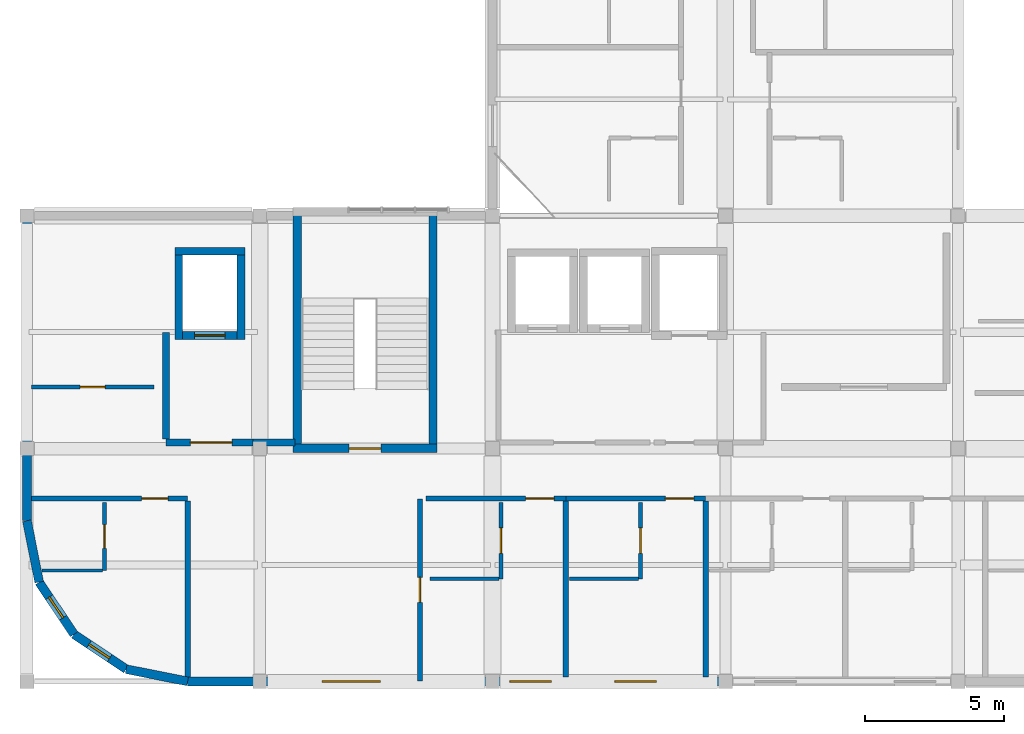
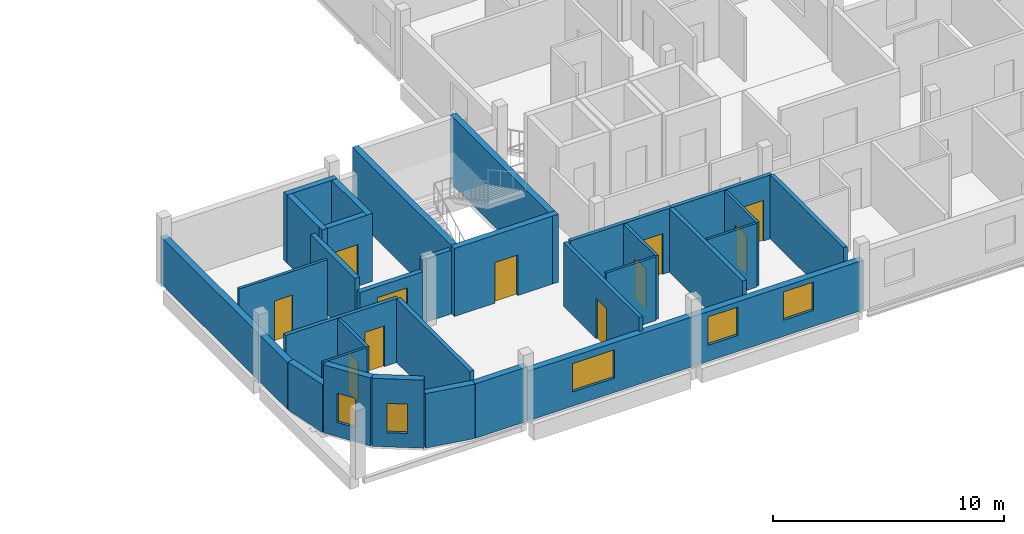
# One storey, part 9 of 20: 31 walls, 11 doors, 5 windows, 16 openings.
"""IFC4 building model written with IfcOpenShell, lengths in metres."""

from ifc_helpers import new_model, si_unit, derived_unit, direction, frame, frame_2d, origin, place, context, subcontext, project, spatial, rectangle, extrude, material, layer, layer_set, type_object, element, fill, save


model = new_model("IFC4")

# Units and contexts
model_context = context("Model", 3, precision=1e-05, world=origin(), true_north=direction((0.0, 1.0)))
body_context = subcontext(model_context, "Body", "Model", "MODEL_VIEW")
ifc_project = project(units=[si_unit("LENGTHUNIT", "METRE"), si_unit("AREAUNIT", "SQUARE_METRE"), si_unit("VOLUMEUNIT", "CUBIC_METRE"), si_unit("PLANEANGLEUNIT", "RADIAN"), si_unit("MASSUNIT", "GRAM", prefix="KILO"), derived_unit("THERMALTRANSMITTANCEUNIT", [(si_unit("POWERUNIT", "WATT"), 1), (si_unit("LENGTHUNIT", "METRE"), -2), (si_unit("THERMODYNAMICTEMPERATUREUNIT", "KELVIN"), -1)])], contexts=[model_context])

# Site, building, storey
site_placement = place(None, origin())
site = spatial("IfcSite", under=ifc_project, at=site_placement, CompositionType="ELEMENT")
building_placement = place(site_placement, origin())
building = spatial("IfcBuilding", under=site, at=building_placement, Name="Barrovel Congress Hotel", CompositionType="ELEMENT")
storey_placement = place(building_placement, frame((0.0, 0.0, 39.89990234375)))
storey = spatial("IfcBuildingStorey", under=building, at=storey_placement, Name="L10", CompositionType="ELEMENT", Elevation=39.89990234375)

# Wall
ifc_material_1 = material(Name="Fired Clay Brick Masonry", Category="masonry")
ifc_layer_1 = layer(ifc_material_1, 0.320068359375)
ifc_layer_set_1 = layer_set([ifc_layer_1], Name="Fired Clay Brick Masonry")
wall_type_1 = type_object("IfcWallType", Name="EW-BRK320", PredefinedType="STANDARD", material=ifc_layer_set_1)
wall_1_placement = place(storey_placement, frame((16.800048828125, 10.0, 0.0), z_axis=(0.0, 0.0, 1.0), x_axis=(0.195057908159, -0.980791727363, 0.0)))
element("IfcWall", 1, at=wall_1_placement, inside=storey, type_object=wall_type_1, Name="EW:L10:PROW-1", PredefinedType="STANDARD", context=body_context, shape_type="SweptSolid", body=[
    extrude(rectangle(XDim=2.262939453125, YDim=0.320068359375, at=frame_2d((1.13134765625, 0.0))), origin(), (0.0, 0.0, 1.0), 2.530029296875),
])

# Wall, opening, window
wall_2_placement = place(storey_placement, frame((17.241455078125, 7.780517578125, 0.0), z_axis=(0.0, 0.0, 1.0), x_axis=(0.555546297918, -0.831485604728, 0.0)))
wall_2 = element("IfcWall", 2, at=wall_2_placement, inside=storey, type_object=wall_type_1, Name="EW:L10:PROW-2", PredefinedType="STANDARD", context=body_context, shape_type="SweptSolid", body=[
    extrude(rectangle(XDim=2.26318359375, YDim=0.320068359375, at=frame_2d((1.131591796875, 0.0))), origin(), (0.0, 0.0, 1.0), 3.60009765625),
])
opening_1_placement = place(wall_2_placement, frame((0.64990234375, 0.0, 0.75)))
opening_1 = element("IfcOpeningElement", 3, at=opening_1_placement, cuts=wall_2, Name="Opening WN-11", PredefinedType="OPENING", context=body_context, shape_type="SweptSolid", body=[
    extrude(rectangle(XDim=0.89990234375, YDim=1.550048828125, at=frame_2d((0.449951171875, 0.77490234375))), frame((0.0, 0.169921875, 0.0), z_axis=(0.0, -1.0, 0.0), x_axis=(1.0, 0.0, 0.0)), (0.0, 0.0, 1.0), 0.340087890625),
])
ifc_material_2 = material(Name="Double Low-E Insulated Glazing", Category="glass")
window_type_1 = type_object("IfcWindowType", Name="WIN-WN-11", PartitioningType="SINGLE_PANEL", PredefinedType="WINDOW", material=ifc_material_2)
window_1_placement = place(opening_1_placement, origin())
window_1 = element("IfcWindow", 4, at=window_1_placement, inside=storey, type_object=window_type_1, Name="WIN:L10:PROW-2", OverallHeight=1.550048828125, OverallWidth=0.89990234375, PartitioningType="SINGLE_PANEL", PredefinedType="WINDOW", context=body_context, shape_type="SweptSolid", body=[
    extrude(rectangle(XDim=0.89990234375, YDim=1.550048828125, at=frame_2d((0.449951171875, 0.77490234375))), frame((0.0, 0.030029296875, 0.0), z_axis=(0.0, -1.0, 0.0), x_axis=(1.0, 0.0, 0.0)), (0.0, 0.0, 1.0), 0.06005859375),
])
fill(opening_1, window_1)

wall_3_placement = place(storey_placement, frame((18.498779296875, 5.898681640625, 0.0), z_axis=(0.0, 0.0, 1.0), x_axis=(0.831502143458, -0.555521543618, 0.0)))
wall_3 = element("IfcWall", 5, at=wall_3_placement, inside=storey, type_object=wall_type_1, Name="EW:L10:PROW-3", PredefinedType="STANDARD", context=body_context, shape_type="SweptSolid", body=[
    extrude(rectangle(XDim=2.262939453125, YDim=0.320068359375, at=frame_2d((1.13134765625, 0.0))), origin(), (0.0, 0.0, 1.0), 3.60009765625),
])
opening_2_placement = place(wall_3_placement, frame((0.64990234375, 0.0, 0.75)))
opening_2 = element("IfcOpeningElement", 6, at=opening_2_placement, cuts=wall_3, Name="Opening WN-11", PredefinedType="OPENING", context=body_context, shape_type="SweptSolid", body=[
    extrude(rectangle(XDim=0.89990234375, YDim=1.550048828125, at=frame_2d((0.449951171875, 0.77490234375))), frame((0.0, 0.169921875, 0.0), z_axis=(0.0, -1.0, 0.0), x_axis=(1.0, 0.0, 0.0)), (0.0, 0.0, 1.0), 0.340087890625),
])
window_2_placement = place(opening_2_placement, origin())
window_2 = element("IfcWindow", 7, at=window_2_placement, inside=storey, type_object=window_type_1, Name="WIN:L10:PROW-3", OverallHeight=1.550048828125, OverallWidth=0.89990234375, PartitioningType="SINGLE_PANEL", PredefinedType="WINDOW", context=body_context, shape_type="SweptSolid", body=[
    extrude(rectangle(XDim=0.89990234375, YDim=1.550048828125, at=frame_2d((0.449951171875, 0.77490234375))), frame((0.0, 0.030029296875, 0.0), z_axis=(0.0, -1.0, 0.0), x_axis=(1.0, 0.0, 0.0)), (0.0, 0.0, 1.0), 0.06005859375),
])
fill(opening_2, window_2)

# Wall
wall_4_placement = place(storey_placement, frame((20.38037109375, 4.6416015625, 0.0), z_axis=(0.0, 0.0, 1.0), x_axis=(0.98077519094, -0.195141038321, 0.0)))
element("IfcWall", 8, at=wall_4_placement, inside=storey, type_object=wall_type_1, Name="EW:L10:PROW-4", PredefinedType="STANDARD", context=body_context, shape_type="SweptSolid", body=[
    extrude(rectangle(XDim=2.26318359375, YDim=0.320068359375, at=frame_2d((1.131591796875, 0.0))), origin(), (0.0, 0.0, 1.0), 2.880126953125),
])

# Wall, openings, windows
wall_5_placement = place(storey_placement, frame((25.199951171875, 4.199951171875, 0.0), z_axis=(0.0, 0.0, 1.0), x_axis=(1.0, 0.0, 0.0)))
wall_5 = element("IfcWall", 9, at=wall_5_placement, inside=storey, type_object=wall_type_1, Name="EW:L10:HS-S", PredefinedType="STANDARD", context=body_context, shape_type="SweptSolid", body=[
    extrude(rectangle(XDim=16.800048828125, YDim=0.320068359375, at=frame_2d((8.39990234375, 0.0))), origin(), (0.0, 0.0, 1.0), 2.630126953125),
])
opening_3_placement = place(wall_5_placement, frame((9.021484375, 0.0, 0.85009765625)))
opening_3 = element("IfcOpeningElement", 10, at=opening_3_placement, cuts=wall_5, Name="Opening WN-07", PredefinedType="OPENING", context=body_context, shape_type="SweptSolid", body=[
    extrude(rectangle(XDim=1.5, YDim=1.5, at=frame_2d((0.75, 0.75))), frame((0.0, 0.169921875, 0.0), z_axis=(0.0, -1.0, 0.0), x_axis=(1.0, 0.0, 0.0)), (0.0, 0.0, 1.0), 0.340087890625),
])
opening_4_placement = place(wall_5_placement, frame((12.814208984375, 0.0, 0.85009765625)))
opening_4 = element("IfcOpeningElement", 11, at=opening_4_placement, cuts=wall_5, Name="Opening WN-07", PredefinedType="OPENING", context=body_context, shape_type="SweptSolid", body=[
    extrude(rectangle(XDim=1.5, YDim=1.5, at=frame_2d((0.75, 0.75))), frame((0.0, 0.169921875, 0.0), z_axis=(0.0, -1.0, 0.0), x_axis=(1.0, 0.0, 0.0)), (0.0, 0.0, 1.0), 0.340087890625),
])
opening_5_placement = place(wall_5_placement, frame((2.25, 0.0, 0.75)))
opening_5 = element("IfcOpeningElement", 12, at=opening_5_placement, cuts=wall_5, Name="Opening WN-09", PredefinedType="OPENING", context=body_context, shape_type="SweptSolid", body=[
    extrude(rectangle(XDim=2.10009765625, YDim=1.5, at=frame_2d((1.050048828125, 0.75))), frame((0.0, 0.169921875, 0.0), z_axis=(0.0, -1.0, 0.0), x_axis=(1.0, 0.0, 0.0)), (0.0, 0.0, 1.0), 0.340087890625),
])
window_type_2 = type_object("IfcWindowType", Name="WIN-WN-07", PartitioningType="SINGLE_PANEL", PredefinedType="WINDOW", material=ifc_material_2)
window_3_placement = place(opening_3_placement, origin())
window_3 = element("IfcWindow", 13, at=window_3_placement, inside=storey, type_object=window_type_2, Name="WIN:L10:U02", OverallHeight=1.5, OverallWidth=1.5, PartitioningType="SINGLE_PANEL", PredefinedType="WINDOW", context=body_context, shape_type="SweptSolid", body=[
    extrude(rectangle(XDim=1.5, YDim=1.5, at=frame_2d((0.75, 0.75))), frame((0.0, 0.030029296875, 0.0), z_axis=(0.0, -1.0, 0.0), x_axis=(1.0, 0.0, 0.0)), (0.0, 0.0, 1.0), 0.06005859375),
])
fill(opening_3, window_3)
window_4_placement = place(opening_4_placement, origin())
window_4 = element("IfcWindow", 14, at=window_4_placement, inside=storey, type_object=window_type_2, Name="WIN:L10:U03", OverallHeight=1.5, OverallWidth=1.5, PartitioningType="SINGLE_PANEL", PredefinedType="WINDOW", context=body_context, shape_type="SweptSolid", body=[
    extrude(rectangle(XDim=1.5, YDim=1.5, at=frame_2d((0.75, 0.75))), frame((0.0, 0.030029296875, 0.0), z_axis=(0.0, -1.0, 0.0), x_axis=(1.0, 0.0, 0.0)), (0.0, 0.0, 1.0), 0.06005859375),
])
fill(opening_4, window_4)
window_type_3 = type_object("IfcWindowType", Name="WIN-WN-09", PartitioningType="SINGLE_PANEL", PredefinedType="WINDOW", material=ifc_material_2)
window_5_placement = place(opening_5_placement, origin())
window_5 = element("IfcWindow", 15, at=window_5_placement, inside=storey, type_object=window_type_3, Name="WIN:L10:SALON", OverallHeight=1.5, OverallWidth=2.10009765625, PartitioningType="SINGLE_PANEL", PredefinedType="WINDOW", context=body_context, shape_type="SweptSolid", body=[
    extrude(rectangle(XDim=2.10009765625, YDim=1.5, at=frame_2d((1.050048828125, 0.75))), frame((0.0, 0.030029296875, 0.0), z_axis=(0.0, -1.0, 0.0), x_axis=(1.0, 0.0, 0.0)), (0.0, 0.0, 1.0), 0.06005859375),
])
fill(opening_5, window_5)

# Walls
wall_6_placement = place(storey_placement, frame((16.800048828125, 21.0, 0.0), z_axis=(0.0, 0.0, 1.0), x_axis=(0.0, -1.0, 0.0)))
element("IfcWall", 16, at=wall_6_placement, inside=storey, type_object=wall_type_1, Name="EW:L10:HS-SW", PredefinedType="STANDARD", context=body_context, shape_type="SweptSolid", body=[
    extrude(rectangle(XDim=11.0, YDim=0.320068359375, at=frame_2d((5.5, 0.0))), origin(), (0.0, 0.0, 1.0), 2.47998046875),
])
wall_7_placement = place(storey_placement, frame((22.60009765625, 4.199951171875, 0.0), z_axis=(0.0, 0.0, 1.0), x_axis=(1.0, 0.0, 0.0)))
element("IfcWall", 17, at=wall_7_placement, inside=storey, type_object=wall_type_1, Name="EW:L10:HS-S:P01", PredefinedType="STANDARD", context=body_context, shape_type="SweptSolid", body=[
    extrude(rectangle(XDim=2.599853515625, YDim=0.320068359375, at=frame_2d((1.2998046875, 0.0))), origin(), (0.0, 0.0, 1.0), 2.880126953125),
])

# Wall, opening, door
ifc_material_3 = material(Name="Gypsum Acoustic Stud", Category="gypsum")
ifc_layer_2 = layer(ifc_material_3, 0.179931640625)
ifc_layer_set_2 = layer_set([ifc_layer_2], Name="Gypsum Acoustic Stud")
wall_type_2 = type_object("IfcWallType", Name="PW-ACU-180", PredefinedType="PARTITIONING", material=ifc_layer_set_2)
wall_8_placement = place(storey_placement, frame((16.9599609375, 10.800048828125, 0.0), z_axis=(0.0, 0.0, 1.0), x_axis=(1.0, 0.0, 0.0)))
wall_8 = element("IfcWall", 18, at=wall_8_placement, inside=storey, type_object=wall_type_2, Name="PW:L10:U01:COR", PredefinedType="PARTITIONING", context=body_context, shape_type="SweptSolid", body=[
    extrude(rectangle(XDim=5.64013671875, YDim=0.179931640625, at=frame_2d((2.820068359375, 0.0))), origin(), (0.0, 0.0, 1.0), 3.375),
])
opening_6_placement = place(wall_8_placement, frame((3.97509765625, 0.0, 0.0)))
opening_6 = element("IfcOpeningElement", 19, at=opening_6_placement, cuts=wall_8, Name="Opening ID-HTL", PredefinedType="OPENING", context=body_context, shape_type="SweptSolid", body=[
    extrude(rectangle(XDim=0.9599609375, YDim=2.14990234375, at=frame_2d((0.47998046875, 1.074951171875))), frame((0.0, 0.10009765625, 0.0), z_axis=(0.0, -1.0, 0.0), x_axis=(1.0, 0.0, 0.0)), (0.0, 0.0, 1.0), 0.199951171875),
])
ifc_material_4 = material(Name="Solid Oak Acoustic Timber Door", Category="wood")
door_type_1 = type_object("IfcDoorType", Name="IDR-ID-HTL", OperationType="NOTDEFINED", PredefinedType="DOOR", material=ifc_material_4)
door_1_placement = place(opening_6_placement, origin())
door_1 = element("IfcDoor", 20, at=door_1_placement, inside=storey, type_object=door_type_1, Name="DR:L10:U01:ENT", OperationType="SINGLE_SWING_RIGHT", OverallHeight=2.14990234375, OverallWidth=0.9599609375, PredefinedType="DOOR", context=body_context, shape_type="SweptSolid", body=[
    extrude(rectangle(XDim=0.9599609375, YDim=2.14990234375, at=frame_2d((0.47998046875, 1.074951171875))), frame((0.0, 0.02490234375, 0.0), z_axis=(0.0, -1.0, 0.0), x_axis=(1.0, 0.0, 0.0)), (0.0, 0.0, 1.0), 0.050048828125),
])
fill(opening_6, door_1)

wall_9_placement = place(storey_placement, frame((31.199951171875, 10.800048828125, 0.0), z_axis=(0.0, 0.0, 1.0), x_axis=(1.0, 0.0, 0.0)))
wall_9 = element("IfcWall", 21, at=wall_9_placement, inside=storey, type_object=wall_type_2, Name="PW:L10:U02:COR", PredefinedType="PARTITIONING", context=body_context, shape_type="SweptSolid", body=[
    extrude(rectangle(XDim=5.04296875, YDim=0.179931640625, at=frame_2d((2.521484375, 0.0))), origin(), (0.0, 0.0, 1.0), 3.375),
])
opening_7_placement = place(wall_9_placement, frame((3.59765625, 0.0, 0.0)))
opening_7 = element("IfcOpeningElement", 22, at=opening_7_placement, cuts=wall_9, Name="Opening ID-ACC", PredefinedType="OPENING", context=body_context, shape_type="SweptSolid", body=[
    extrude(rectangle(XDim=1.02001953125, YDim=2.14990234375, at=frame_2d((0.510009765625, 1.074951171875))), frame((0.0, 0.10009765625, 0.0), z_axis=(0.0, -1.0, 0.0), x_axis=(1.0, 0.0, 0.0)), (0.0, 0.0, 1.0), 0.199951171875),
])
door_type_2 = type_object("IfcDoorType", Name="IDR-ID-ACC", OperationType="NOTDEFINED", PredefinedType="DOOR", material=ifc_material_4)
door_2_placement = place(opening_7_placement, origin())
door_2 = element("IfcDoor", 23, at=door_2_placement, inside=storey, type_object=door_type_2, Name="DR:L10:U02:ENT", OperationType="SINGLE_SWING_RIGHT", OverallHeight=2.14990234375, OverallWidth=1.02001953125, PredefinedType="DOOR", context=body_context, shape_type="SweptSolid", body=[
    extrude(rectangle(XDim=1.02001953125, YDim=2.14990234375, at=frame_2d((0.510009765625, 1.074951171875))), frame((0.0, 0.02490234375, 0.0), z_axis=(0.0, -1.0, 0.0), x_axis=(1.0, 0.0, 0.0)), (0.0, 0.0, 1.0), 0.050048828125),
])
fill(opening_7, door_2)

wall_10_placement = place(storey_placement, frame((36.242919921875, 10.800048828125, 0.0), z_axis=(0.0, 0.0, 1.0), x_axis=(1.0, 0.0, 0.0)))
wall_10 = element("IfcWall", 24, at=wall_10_placement, inside=storey, type_object=wall_type_2, Name="PW:L10:U03:COR", PredefinedType="PARTITIONING", context=body_context, shape_type="SweptSolid", body=[
    extrude(rectangle(XDim=5.042724609375, YDim=0.179931640625, at=frame_2d((2.521484375, 0.0))), origin(), (0.0, 0.0, 1.0), 3.375),
])
opening_8_placement = place(wall_10_placement, frame((3.597412109375, 0.0, 0.0)))
opening_8 = element("IfcOpeningElement", 25, at=opening_8_placement, cuts=wall_10, Name="Opening ID-ACC", PredefinedType="OPENING", context=body_context, shape_type="SweptSolid", body=[
    extrude(rectangle(XDim=1.02001953125, YDim=2.14990234375, at=frame_2d((0.510009765625, 1.074951171875))), frame((0.0, 0.10009765625, 0.0), z_axis=(0.0, -1.0, 0.0), x_axis=(1.0, 0.0, 0.0)), (0.0, 0.0, 1.0), 0.199951171875),
])
door_3_placement = place(opening_8_placement, origin())
door_3 = element("IfcDoor", 26, at=door_3_placement, inside=storey, type_object=door_type_2, Name="DR:L10:U03:ENT", OperationType="SINGLE_SWING_RIGHT", OverallHeight=2.14990234375, OverallWidth=1.02001953125, PredefinedType="DOOR", context=body_context, shape_type="SweptSolid", body=[
    extrude(rectangle(XDim=1.02001953125, YDim=2.14990234375, at=frame_2d((0.510009765625, 1.074951171875))), frame((0.0, 0.02490234375, 0.0), z_axis=(0.0, -1.0, 0.0), x_axis=(1.0, 0.0, 0.0)), (0.0, 0.0, 1.0), 0.050048828125),
])
fill(opening_8, door_3)

wall_11_placement = place(storey_placement, frame((30.97998046875, 4.219970703125, 0.0), z_axis=(0.0, 0.0, 1.0), x_axis=(0.0, 1.0, 0.0)))
wall_11 = element("IfcWall", 27, at=wall_11_placement, inside=storey, type_object=wall_type_2, Name="RW:SP:L10:SALON:ED", PredefinedType="PARTITIONING", context=body_context, shape_type="SweptSolid", body=[
    extrude(rectangle(XDim=6.56005859375, YDim=0.179931640625, at=frame_2d((3.280029296875, 0.0))), origin(), (0.0, 0.0, 1.0), 3.375),
])
opening_9_placement = place(wall_11_placement, frame((2.830078125, 0.0, 0.0)))
opening_9 = element("IfcOpeningElement", 28, at=opening_9_placement, cuts=wall_11, Name="Opening ID-WC1", PredefinedType="OPENING", context=body_context, shape_type="SweptSolid", body=[
    extrude(rectangle(XDim=0.89990234375, YDim=2.1201171875, at=frame_2d((0.449951171875, 1.06005859375))), frame((0.0, 0.10009765625, 0.0), z_axis=(0.0, -1.0, 0.0), x_axis=(1.0, 0.0, 0.0)), (0.0, 0.0, 1.0), 0.199951171875),
])
ifc_material_5 = material(Name="Lacquered Timber Moisture Door", Category="wood")
door_type_3 = type_object("IfcDoorType", Name="IDR-ID-WC1", OperationType="NOTDEFINED", PredefinedType="DOOR", material=ifc_material_5)
door_4_placement = place(opening_9_placement, origin())
door_4 = element("IfcDoor", 29, at=door_4_placement, inside=storey, type_object=door_type_3, Name="RD:SP:L10:SALON", OperationType="SINGLE_SWING_LEFT", OverallHeight=2.1201171875, OverallWidth=0.89990234375, PredefinedType="DOOR", context=body_context, shape_type="SweptSolid", body=[
    extrude(rectangle(XDim=0.89990234375, YDim=2.1201171875, at=frame_2d((0.449951171875, 1.06005859375))), frame((0.0, 0.02490234375, 0.0), z_axis=(0.0, -1.0, 0.0), x_axis=(1.0, 0.0, 0.0)), (0.0, 0.0, 1.0), 0.050048828125),
])
fill(opening_9, door_4)

# Walls
ifc_layer_3 = layer(ifc_material_3, 0.1201171875)
ifc_layer_set_3 = layer_set([ifc_layer_3], Name="Gypsum Acoustic Stud")
wall_type_3 = type_object("IfcWallType", Name="PW-INT-120", PredefinedType="PARTITIONING", material=ifc_layer_set_3)
wall_12_placement = place(storey_placement, frame((17.340087890625, 8.199951171875, 0.0), z_axis=(0.0, 0.0, 1.0), x_axis=(1.0, 0.0, 0.0)))
element("IfcWall", 30, at=wall_12_placement, inside=storey, type_object=wall_type_3, Name="PW:L10:U01:B2", PredefinedType="PARTITIONING", context=body_context, shape_type="SweptSolid", body=[
    extrude(rectangle(XDim=2.18994140625, YDim=0.1201171875, at=frame_2d((1.094970703125, 0.0))), origin(), (0.0, 0.0, 1.0), 3.375),
])
for number, where, z_axis, x_axis, name in (
    (31, (31.340087890625, 7.89990234375, 0.0), (0.0, 0.0, 1.0), (1.0, 0.0, 0.0), "PW:L10:U02:B2"),
    (32, (36.3828125, 7.89990234375, 0.0), (0.0, 0.0, 1.0), (1.0, 0.0, 0.0), "PW:L10:U03:B2"),
):
    element("IfcWall", number, at=place(storey_placement, frame(where, z_axis=z_axis, x_axis=x_axis)), inside=storey, type_object=wall_type_3, Name=name, PredefinedType="PARTITIONING", context=body_context, shape_type="SweptSolid", body=[
        extrude(rectangle(XDim=2.489990234375, YDim=0.1201171875, at=frame_2d((1.2451171875, 0.0))), origin(), (0.0, 0.0, 1.0), 3.375),
    ])
ifc_layer_4 = layer(ifc_material_1, 0.199951171875)
ifc_layer_set_4 = layer_set([ifc_layer_4], Name="Fired Clay Brick Masonry")
wall_type_4 = type_object("IfcWallType", Name="PW-MAS-200", PredefinedType="PARTITIONING", material=ifc_layer_set_4)
for number, where, z_axis, x_axis, name in (
    (33, (22.60009765625, 4.360107421875, 0.0), (0.0, 0.0, 1.0), (0.0, 1.0, 0.0), "PW:L10:U01:DEM"),
    (34, (36.242919921875, 4.360107421875, 0.0), (0.0, 0.0, 1.0), (0.0, 1.0, 0.0), "PW:L10:U02:DEM"),
    (35, (41.28564453125, 4.360107421875, 0.0), (0.0, 0.0, 1.0), (0.0, 1.0, 0.0), "PW:L10:U03:DEM"),
):
    element("IfcWall", number, at=place(storey_placement, frame(where, z_axis=z_axis, x_axis=x_axis)), inside=storey, type_object=wall_type_4, Name=name, PredefinedType="PARTITIONING", context=body_context, shape_type="SweptSolid", body=[
        extrude(rectangle(XDim=6.349853515625, YDim=0.199951171875, at=frame_2d((3.1748046875, 0.0))), origin(), (0.0, 0.0, 1.0), 3.375),
    ])

# Wall, opening, door
ifc_layer_5 = layer(ifc_material_1, 0.239990234375)
ifc_layer_set_5 = layer_set([ifc_layer_5], Name="Fired Clay Brick Masonry")
wall_type_5 = type_object("IfcWallType", Name="PW-MAS-240", PredefinedType="PARTITIONING", material=ifc_layer_set_5)
wall_13_placement = place(storey_placement, frame((21.820068359375, 12.820068359375, 0.0), z_axis=(0.0, 0.0, 1.0), x_axis=(1.0, 0.0, 0.0)))
wall_13 = element("IfcWall", 36, at=wall_13_placement, inside=storey, type_object=wall_type_5, Name="RW:SP:L10:FFL-1:S", PredefinedType="PARTITIONING", context=body_context, shape_type="SweptSolid", body=[
    extrude(rectangle(XDim=3.1298828125, YDim=0.239990234375, at=frame_2d((1.56494140625, 0.0))), origin(), (0.0, 0.0, 1.0), 2.72998046875),
])
opening_10_placement = place(wall_13_placement, frame((0.8798828125, 0.0, 0.0)))
opening_10 = element("IfcOpeningElement", 37, at=opening_10_placement, cuts=wall_13, Name="Opening ID-FFL", PredefinedType="OPENING", context=body_context, shape_type="SweptSolid", body=[
    extrude(rectangle(XDim=1.5, YDim=2.14990234375, at=frame_2d((0.75, 1.074951171875))), frame((0.0, 0.1298828125, 0.0), z_axis=(0.0, -1.0, 0.0), x_axis=(1.0, 0.0, 0.0)), (0.0, 0.0, 1.0), 0.260009765625),
])
ifc_material_6 = material(Name="Painted Hollow-Metal Steel Door", Category="steel")
door_type_4 = type_object("IfcDoorType", Name="IDR-ID-FFL", OperationType="NOTDEFINED", PredefinedType="DOOR", material=ifc_material_6)
door_5_placement = place(opening_10_placement, origin())
door_5 = element("IfcDoor", 38, at=door_5_placement, inside=storey, type_object=door_type_4, Name="RD:SP:L10:FFL-1", OperationType="DOUBLE_DOOR_SINGLE_SWING", OverallHeight=2.14990234375, OverallWidth=1.5, PredefinedType="DOOR", context=body_context, shape_type="SweptSolid", body=[
    extrude(rectangle(XDim=1.5, YDim=2.14990234375, at=frame_2d((0.75, 1.074951171875))), frame((0.0, 0.02490234375, 0.0), z_axis=(0.0, -1.0, 0.0), x_axis=(1.0, 0.0, 0.0)), (0.0, 0.0, 1.0), 0.050048828125),
])
fill(opening_10, door_5)

# Walls
wall_14_placement = place(storey_placement, frame((21.820068359375, 12.93994140625, 0.0), z_axis=(0.0, 0.0, 1.0), x_axis=(0.0, 1.0, 0.0)))
element("IfcWall", 39, at=wall_14_placement, inside=storey, type_object=wall_type_5, Name="RW:SP:L10:FFL-1:W", PredefinedType="PARTITIONING", context=body_context, shape_type="SweptSolid", body=[
    extrude(rectangle(XDim=3.840087890625, YDim=0.239990234375, at=frame_2d((1.919921875, 0.0))), origin(), (0.0, 0.0, 1.0), 3.375),
])
wall_15_placement = place(storey_placement, frame((24.949951171875, 12.820068359375, 0.0), z_axis=(0.0, 0.0, 1.0), x_axis=(1.0, 0.0, 0.0)))
element("IfcWall", 40, at=wall_15_placement, inside=storey, type_object=wall_type_5, Name="RW:SP:L10:FFL-1:S:P02", PredefinedType="PARTITIONING", context=body_context, shape_type="SweptSolid", body=[
    extrude(rectangle(XDim=1.530029296875, YDim=0.239990234375, at=frame_2d((0.76513671875, 0.0))), origin(), (0.0, 0.0, 1.0), 3.375),
])

# Wall, opening, door
ifc_material_7 = material(Name="Gypsum Moisture Board", Category="gypsum")
ifc_layer_6 = layer(ifc_material_7, 0.139892578125)
ifc_layer_set_6 = layer_set([ifc_layer_6], Name="Gypsum Moisture Board")
wall_type_6 = type_object("IfcWallType", Name="PW-WET-140", PredefinedType="PARTITIONING", material=ifc_layer_set_6)
wall_16_placement = place(storey_placement, frame((19.60009765625, 8.199951171875, 0.0), z_axis=(0.0, 0.0, 1.0), x_axis=(0.0, 1.0, 0.0)))
wall_16 = element("IfcWall", 41, at=wall_16_placement, inside=storey, type_object=wall_type_6, Name="PW:L10:U01:B1", PredefinedType="PARTITIONING", context=body_context, shape_type="SweptSolid", body=[
    extrude(rectangle(XDim=2.4599609375, YDim=0.139892578125, at=frame_2d((1.22998046875, 0.0))), origin(), (0.0, 0.0, 1.0), 3.375),
])
opening_11_placement = place(wall_16_placement, frame((0.800048828125, 0.0, 0.0)))
opening_11 = element("IfcOpeningElement", 42, at=opening_11_placement, cuts=wall_16, Name="Opening ID-ENS", PredefinedType="OPENING", context=body_context, shape_type="SweptSolid", body=[
    extrude(rectangle(XDim=0.860107421875, YDim=2.10009765625, at=frame_2d((0.43017578125, 1.050048828125))), frame((0.0, 0.080078125, 0.0), z_axis=(0.0, -1.0, 0.0), x_axis=(1.0, 0.0, 0.0)), (0.0, 0.0, 1.0), 0.159912109375),
])
door_type_5 = type_object("IfcDoorType", Name="IDR-ID-ENS", OperationType="NOTDEFINED", PredefinedType="DOOR", material=ifc_material_5)
door_6_placement = place(opening_11_placement, origin())
door_6 = element("IfcDoor", 43, at=door_6_placement, inside=storey, type_object=door_type_5, Name="DR:L10:U01:ENS", OperationType="SINGLE_SWING_LEFT", OverallHeight=2.10009765625, OverallWidth=0.860107421875, PredefinedType="DOOR", context=body_context, shape_type="SweptSolid", body=[
    extrude(rectangle(XDim=0.860107421875, YDim=2.10009765625, at=frame_2d((0.43017578125, 1.050048828125))), frame((0.0, 0.02490234375, 0.0), z_axis=(0.0, -1.0, 0.0), x_axis=(1.0, 0.0, 0.0)), (0.0, 0.0, 1.0), 0.050048828125),
])
fill(opening_11, door_6)

wall_17_placement = place(storey_placement, frame((33.89990234375, 7.89990234375, 0.0), z_axis=(0.0, 0.0, 1.0), x_axis=(0.0, 1.0, 0.0)))
wall_17 = element("IfcWall", 44, at=wall_17_placement, inside=storey, type_object=wall_type_6, Name="PW:L10:U02:B1", PredefinedType="PARTITIONING", context=body_context, shape_type="SweptSolid", body=[
    extrude(rectangle(XDim=2.760009765625, YDim=0.139892578125, at=frame_2d((1.3798828125, 0.0))), origin(), (0.0, 0.0, 1.0), 3.375),
])
opening_12_placement = place(wall_17_placement, frame((0.919921875, 0.0, 0.0)))
opening_12 = element("IfcOpeningElement", 45, at=opening_12_placement, cuts=wall_17, Name="Opening ID-EA2", PredefinedType="OPENING", context=body_context, shape_type="SweptSolid", body=[
    extrude(rectangle(XDim=0.919921875, YDim=2.10009765625, at=frame_2d((0.4599609375, 1.050048828125))), frame((0.0, 0.080078125, 0.0), z_axis=(0.0, -1.0, 0.0), x_axis=(1.0, 0.0, 0.0)), (0.0, 0.0, 1.0), 0.159912109375),
])
door_type_6 = type_object("IfcDoorType", Name="IDR-ID-EA2", OperationType="NOTDEFINED", PredefinedType="DOOR", material=ifc_material_5)
door_7_placement = place(opening_12_placement, origin())
door_7 = element("IfcDoor", 46, at=door_7_placement, inside=storey, type_object=door_type_6, Name="DR:L10:U02:ENS", OperationType="SINGLE_SWING_LEFT", OverallHeight=2.10009765625, OverallWidth=0.919921875, PredefinedType="DOOR", context=body_context, shape_type="SweptSolid", body=[
    extrude(rectangle(XDim=0.919921875, YDim=2.10009765625, at=frame_2d((0.4599609375, 1.050048828125))), frame((0.0, 0.02490234375, 0.0), z_axis=(0.0, -1.0, 0.0), x_axis=(1.0, 0.0, 0.0)), (0.0, 0.0, 1.0), 0.050048828125),
])
fill(opening_12, door_7)

wall_18_placement = place(storey_placement, frame((38.94287109375, 7.89990234375, 0.0), z_axis=(0.0, 0.0, 1.0), x_axis=(0.0, 1.0, 0.0)))
wall_18 = element("IfcWall", 47, at=wall_18_placement, inside=storey, type_object=wall_type_6, Name="PW:L10:U03:B1", PredefinedType="PARTITIONING", context=body_context, shape_type="SweptSolid", body=[
    extrude(rectangle(XDim=2.760009765625, YDim=0.139892578125, at=frame_2d((1.3798828125, 0.0))), origin(), (0.0, 0.0, 1.0), 3.375),
])
opening_13_placement = place(wall_18_placement, frame((0.919921875, 0.0, 0.0)))
opening_13 = element("IfcOpeningElement", 48, at=opening_13_placement, cuts=wall_18, Name="Opening ID-EA2", PredefinedType="OPENING", context=body_context, shape_type="SweptSolid", body=[
    extrude(rectangle(XDim=0.919921875, YDim=2.10009765625, at=frame_2d((0.4599609375, 1.050048828125))), frame((0.0, 0.080078125, 0.0), z_axis=(0.0, -1.0, 0.0), x_axis=(1.0, 0.0, 0.0)), (0.0, 0.0, 1.0), 0.159912109375),
])
door_8_placement = place(opening_13_placement, origin())
door_8 = element("IfcDoor", 49, at=door_8_placement, inside=storey, type_object=door_type_6, Name="DR:L10:U03:ENS", OperationType="SINGLE_SWING_LEFT", OverallHeight=2.10009765625, OverallWidth=0.919921875, PredefinedType="DOOR", context=body_context, shape_type="SweptSolid", body=[
    extrude(rectangle(XDim=0.919921875, YDim=2.10009765625, at=frame_2d((0.4599609375, 1.050048828125))), frame((0.0, 0.02490234375, 0.0), z_axis=(0.0, -1.0, 0.0), x_axis=(1.0, 0.0, 0.0)), (0.0, 0.0, 1.0), 0.050048828125),
])
fill(opening_13, door_8)

wall_19_placement = place(storey_placement, frame((16.9599609375, 14.820068359375, 0.0), z_axis=(0.0, 0.0, 1.0), x_axis=(1.0, 0.0, 0.0)))
wall_19 = element("IfcWall", 50, at=wall_19_placement, inside=storey, type_object=wall_type_6, Name="RW:SP:L10:HKP:S", PredefinedType="PARTITIONING", context=body_context, shape_type="SweptSolid", body=[
    extrude(rectangle(XDim=4.419921875, YDim=0.139892578125, at=frame_2d((2.2099609375, 0.0))), origin(), (0.0, 0.0, 1.0), 3.375),
])
opening_14_placement = place(wall_19_placement, frame((1.760009765625, 0.0, 0.0)))
opening_14 = element("IfcOpeningElement", 51, at=opening_14_placement, cuts=wall_19, Name="Opening ID-WC1", PredefinedType="OPENING", context=body_context, shape_type="SweptSolid", body=[
    extrude(rectangle(XDim=0.89990234375, YDim=2.1201171875, at=frame_2d((0.449951171875, 1.06005859375))), frame((0.0, 0.080078125, 0.0), z_axis=(0.0, -1.0, 0.0), x_axis=(1.0, 0.0, 0.0)), (0.0, 0.0, 1.0), 0.159912109375),
])
door_9_placement = place(opening_14_placement, origin())
door_9 = element("IfcDoor", 52, at=door_9_placement, inside=storey, type_object=door_type_3, Name="RD:SP:L10:HKP", OperationType="SINGLE_SWING_RIGHT", OverallHeight=2.1201171875, OverallWidth=0.89990234375, PredefinedType="DOOR", context=body_context, shape_type="SweptSolid", body=[
    extrude(rectangle(XDim=0.89990234375, YDim=2.1201171875, at=frame_2d((0.449951171875, 1.06005859375))), frame((0.0, 0.02490234375, 0.0), z_axis=(0.0, -1.0, 0.0), x_axis=(1.0, 0.0, 0.0)), (0.0, 0.0, 1.0), 0.050048828125),
])
fill(opening_14, door_9)

ifc_material_8 = material(Name="Concrete C40", Category="concrete")
ifc_layer_7 = layer(ifc_material_8, 0.280029296875)
ifc_layer_set_7 = layer_set([ifc_layer_7], Name="Concrete C40")
wall_type_7 = type_object("IfcWallType", Name="SW-C40-280", PredefinedType="SHEAR", material=ifc_layer_set_7)
wall_20_placement = place(storey_placement, frame((22.139892578125, 16.679931640625, 0.0), z_axis=(0.0, 0.0, 1.0), x_axis=(1.0, 0.0, 0.0)))
wall_20 = element("IfcWall", 53, at=wall_20_placement, inside=storey, type_object=wall_type_7, Name="LSH:FL-1:L10:S", PredefinedType="SHEAR", context=body_context, shape_type="SweptSolid", body=[
    extrude(rectangle(XDim=2.52001953125, YDim=0.280029296875, at=frame_2d((1.260009765625, 0.0))), origin(), (0.0, 0.0, 1.0), 3.60009765625),
])
opening_15_placement = place(wall_20_placement, frame((0.7099609375, 0.0, 0.0)))
opening_15 = element("IfcOpeningElement", 54, at=opening_15_placement, cuts=wall_20, Name="Opening LD-FF", PredefinedType="OPENING", context=body_context, shape_type="SweptSolid", body=[
    extrude(rectangle(XDim=1.10009765625, YDim=2.199951171875, at=frame_2d((0.550048828125, 1.10009765625))), frame((0.0, 0.14990234375, 0.0), z_axis=(0.0, -1.0, 0.0), x_axis=(1.0, 0.0, 0.0)), (0.0, 0.0, 1.0), 0.300048828125),
])
ifc_material_9 = material(Name="Brushed Stainless Steel", Category="steel")
door_type_7 = type_object("IfcDoorType", Name="IDR-LD-FF", OperationType="NOTDEFINED", PredefinedType="DOOR", material=ifc_material_9)
door_10_placement = place(opening_15_placement, origin())
door_10 = element("IfcDoor", 55, at=door_10_placement, inside=storey, type_object=door_type_7, Name="Lift Landing Door LD-FL-1-L10", OperationType="SLIDING_TO_LEFT", OverallHeight=2.199951171875, OverallWidth=1.10009765625, PredefinedType="DOOR", context=body_context, shape_type="SweptSolid", body=[
    extrude(rectangle(XDim=1.10009765625, YDim=2.199951171875, at=frame_2d((0.550048828125, 1.10009765625))), frame((0.0, 0.02490234375, 0.0), z_axis=(0.0, -1.0, 0.0), x_axis=(1.0, 0.0, 0.0)), (0.0, 0.0, 1.0), 0.050048828125),
])
fill(opening_15, door_10)

# Walls
wall_21_placement = place(storey_placement, frame((24.52001953125, 16.5400390625, 0.0), z_axis=(0.0, 0.0, 1.0), x_axis=(0.0, 1.0, 0.0)))
element("IfcWall", 56, at=wall_21_placement, inside=storey, type_object=wall_type_7, Name="LSH:FL-1:L10:E", PredefinedType="SHEAR", context=body_context, shape_type="SweptSolid", body=[
    extrude(rectangle(XDim=3.320068359375, YDim=0.280029296875, at=frame_2d((1.66015625, 0.0))), origin(), (0.0, 0.0, 1.0), 3.60009765625),
])
wall_22_placement = place(storey_placement, frame((24.659912109375, 19.719970703125, 0.0), z_axis=(0.0, 0.0, 1.0), x_axis=(-1.0, 0.0, 0.0)))
element("IfcWall", 57, at=wall_22_placement, inside=storey, type_object=wall_type_7, Name="LSH:FL-1:L10:N", PredefinedType="SHEAR", context=body_context, shape_type="SweptSolid", body=[
    extrude(rectangle(XDim=2.52001953125, YDim=0.280029296875, at=frame_2d((1.260009765625, 0.0))), origin(), (0.0, 0.0, 1.0), 3.60009765625),
])
wall_23_placement = place(storey_placement, frame((22.280029296875, 19.860107421875, 0.0), z_axis=(0.0, 0.0, 1.0), x_axis=(0.0, -1.0, 0.0)))
element("IfcWall", 58, at=wall_23_placement, inside=storey, type_object=wall_type_7, Name="LSH:FL-1:L10:W", PredefinedType="SHEAR", context=body_context, shape_type="SweptSolid", body=[
    extrude(rectangle(XDim=3.320068359375, YDim=0.280029296875, at=frame_2d((1.66015625, 0.0))), origin(), (0.0, 0.0, 1.0), 3.60009765625),
])

# Wall, opening, door
ifc_layer_8 = layer(ifc_material_8, 0.300048828125)
ifc_layer_set_8 = layer_set([ifc_layer_8], Name="Concrete C40")
wall_type_8 = type_object("IfcWallType", Name="SW-C40-300", PredefinedType="SHEAR", material=ifc_layer_set_8)
wall_24_placement = place(storey_placement, frame((26.39990234375, 12.610107421875, 0.0), z_axis=(0.0, 0.0, 1.0), x_axis=(1.0, 0.0, 0.0)))
wall_24 = element("IfcWall", 59, at=wall_24_placement, inside=storey, type_object=wall_type_8, Name="SHW:XS-01:L10:S", PredefinedType="SHEAR", context=body_context, shape_type="SweptSolid", body=[
    extrude(rectangle(XDim=5.2001953125, YDim=0.300048828125, at=frame_2d((2.60009765625, 0.0))), origin(), (0.0, 0.0, 1.0), 3.60009765625),
])
opening_16_placement = place(wall_24_placement, frame((2.02490234375, 0.0, 0.0)))
opening_16 = element("IfcOpeningElement", 60, at=opening_16_placement, cuts=wall_24, Name="Opening ID-ST1", PredefinedType="OPENING", context=body_context, shape_type="SweptSolid", body=[
    extrude(rectangle(XDim=1.14990234375, YDim=2.14990234375, at=frame_2d((0.574951171875, 1.074951171875))), frame((0.0, 0.16015625, 0.0), z_axis=(0.0, -1.0, 0.0), x_axis=(1.0, 0.0, 0.0)), (0.0, 0.0, 1.0), 0.320068359375),
])
door_type_8 = type_object("IfcDoorType", Name="IDR-ID-ST1", OperationType="NOTDEFINED", PredefinedType="DOOR", material=ifc_material_6)
door_11_placement = place(opening_16_placement, origin())
door_11 = element("IfcDoor", 61, at=door_11_placement, inside=storey, type_object=door_type_8, Name="Stair Core Fire Door XS-01-L10", OperationType="SINGLE_SWING_RIGHT", OverallHeight=2.14990234375, OverallWidth=1.14990234375, PredefinedType="DOOR", context=body_context, shape_type="SweptSolid", body=[
    extrude(rectangle(XDim=1.14990234375, YDim=2.14990234375, at=frame_2d((0.574951171875, 1.074951171875))), frame((0.0, 0.02490234375, 0.0), z_axis=(0.0, -1.0, 0.0), x_axis=(1.0, 0.0, 0.0)), (0.0, 0.0, 1.0), 0.050048828125),
])
fill(opening_16, door_11)

# Walls
for number, where, z_axis, x_axis, name in (
    (62, (31.449951171875, 12.4599609375, 0.0), (0.0, 0.0, 1.0), (0.0, 1.0, 0.0), "SHW:XS-01:L10:E"),
    (63, (26.550048828125, 21.300048828125, 0.0), (0.0, 0.0, 1.0), (0.0, -1.0, 0.0), "SHW:XS-01:L10:W"),
):
    element("IfcWall", number, at=place(storey_placement, frame(where, z_axis=z_axis, x_axis=x_axis)), inside=storey, type_object=wall_type_8, Name=name, PredefinedType="SHEAR", context=body_context, shape_type="SweptSolid", body=[
        extrude(rectangle(XDim=8.840087890625, YDim=0.300048828125, at=frame_2d((4.419921875, 0.0))), origin(), (0.0, 0.0, 1.0), 3.60009765625),
    ])

save(model, "model.ifc")
